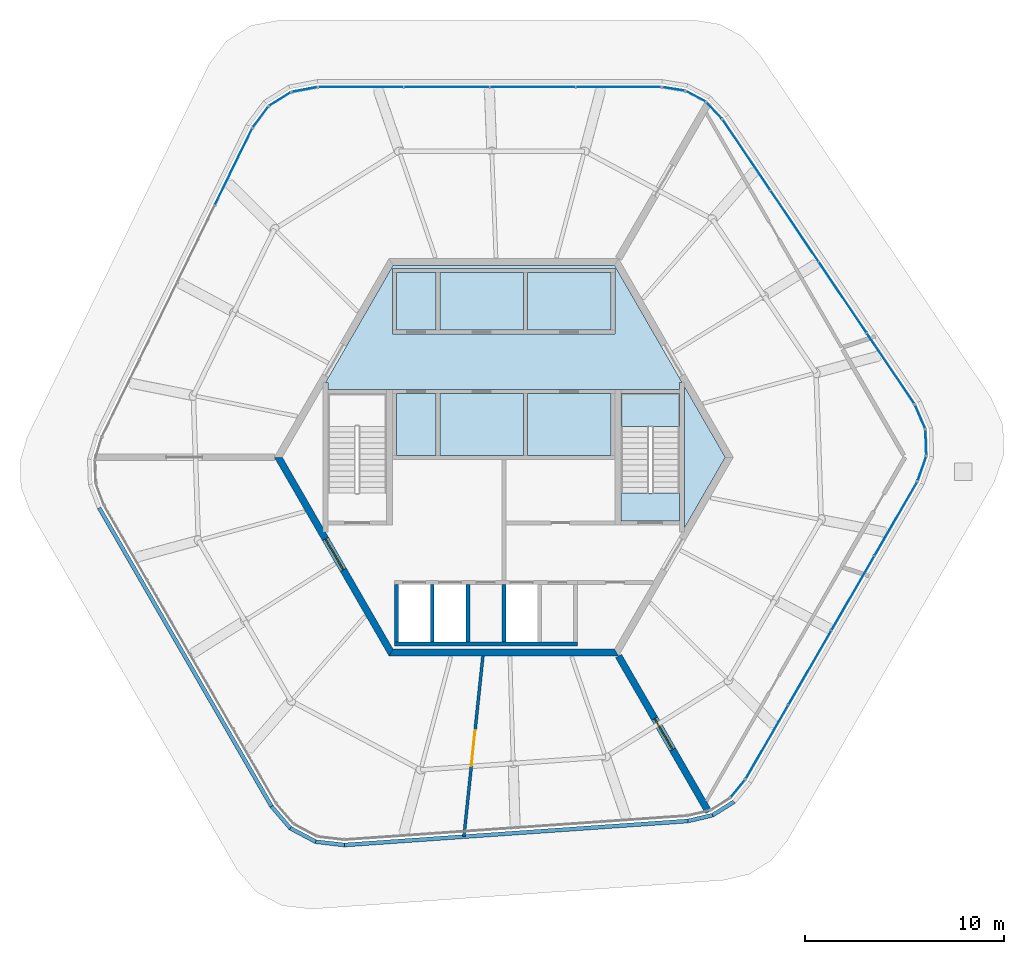
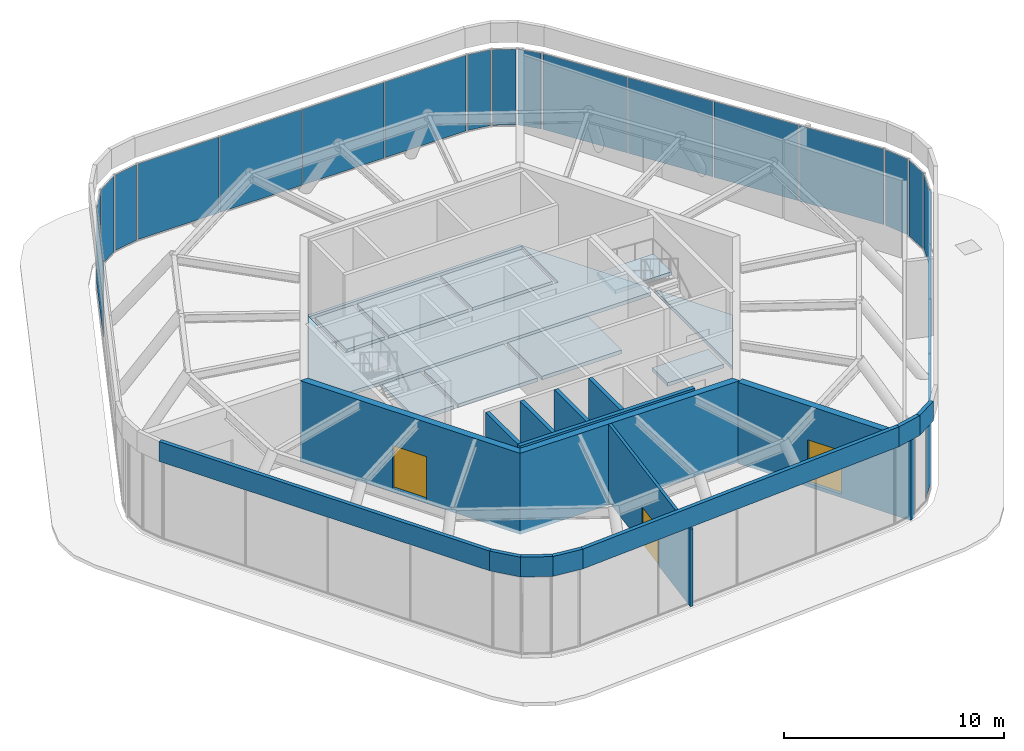
# One storey, part 9 of 12: 23 plates, 16 walls, 10 slabs, 3 doors, 3 openings, 15 elements without a shape of their own.
"""IFC4 building model written with IfcOpenShell, lengths in metres."""

from ifc_helpers import new_model, si_unit, direction, frame, frame_2d, origin, origin_2d, place, context, subcontext, project, spatial, polyline, rectangle, outline, extrude, material, layer, layer_set, type_object, element, fill, aggregate, save


model = new_model("IFC4")

# Units and contexts
model_context = context("Model", 3, precision=1e-05, world=origin(), true_north=direction((0.0, 1.0)))
body_context = subcontext(model_context, "Body", "Model", "MODEL_VIEW")
ifc_project = project(units=[si_unit("LENGTHUNIT", "METRE"), si_unit("AREAUNIT", "SQUARE_METRE"), si_unit("VOLUMEUNIT", "CUBIC_METRE"), si_unit("PLANEANGLEUNIT", "RADIAN"), si_unit("MASSUNIT", "GRAM", prefix="KILO")], contexts=[model_context])

# Site, building, storey
site_placement = place(None, origin())
site = spatial("IfcSite", under=ifc_project, at=site_placement, CompositionType="ELEMENT")
building_placement = place(site_placement, origin())
building = spatial("IfcBuilding", under=site, at=building_placement, Name="Tarnside Tower", CompositionType="ELEMENT")
storey_placement = place(building_placement, frame((0.0, 0.0, 392.699951171875)))
storey = spatial("IfcBuildingStorey", under=building, at=storey_placement, Name="L93", CompositionType="ELEMENT", Elevation=392.699951171875)

# Slabs
ifc_material_1 = material(Name="Concrete C40/50", Category="concrete")
ifc_layer_1 = layer(ifc_material_1, 0.199951171875)
ifc_layer_set_1 = layer_set([ifc_layer_1], Name="Core crown slab C40/50")
slab_type_1 = type_object("IfcSlabType", Name="Core crown slab C40/50", PredefinedType="FLOOR", material=ifc_layer_set_1)
slab_1_placement = place(storey_placement, frame((0.0, 0.0, -0.199951171875)))
element("IfcSlab", 1, at=slab_1_placement, inside=storey, type_object=slab_type_1, Name="L93 core floor slab 1", PredefinedType="FLOOR", context=body_context, shape_type="SweptSolid", body=[
    extrude(outline(polyline([(5.5712890625, 9.64990234375), (8.97509765625, 3.7548828125), (8.85009765625, 3.7548828125), (8.85009765625, 3.39990234375), (5.89990234375, 3.39990234375), (5.60009765625, 3.39990234375), (-5.60009765625, 3.39990234375), (-5.89990234375, 3.39990234375), (-8.85009765625, 3.39990234375), (-8.85009765625, 3.7548828125), (-8.97509765625, 3.7548828125), (-5.5712890625, 9.64990234375), (5.5712890625, 9.64990234375)]), holes=[polyline([(-5.60009765625, 6.199951171875), (5.60009765625, 6.199951171875), (5.60009765625, 6.39990234375), (5.60009765625, 9.300048828125), (5.60009765625, 9.5), (-5.60009765625, 9.5), (-5.60009765625, 9.300048828125), (-5.60009765625, 6.39990234375), (-5.60009765625, 6.199951171875)])]), origin(), (0.0, 0.0, 1.0), 0.199951171875),
])
slab_2_placement = place(storey_placement, frame((0.0, 0.0, -0.199951171875)))
element("IfcSlab", 2, at=slab_2_placement, inside=storey, type_object=slab_type_1, Name="L93 core floor slab 4", PredefinedType="FLOOR", context=body_context, shape_type="SweptSolid", body=[
    extrude(outline(polyline([(9.10009765625, 3.538330078125), (11.142822265625, 0.0), (9.10009765625, -3.538330078125), (9.10009765625, 3.538330078125)])), origin(), (0.0, 0.0, 1.0), 0.199951171875),
])
slab_3_placement = place(storey_placement, frame((0.0, 0.0, -0.199951171875)))
element("IfcSlab", 3, at=slab_3_placement, inside=storey, type_object=slab_type_1, Name="L93 core floor slab 5", PredefinedType="FLOOR", context=body_context, shape_type="SweptSolid", body=[
    extrude(outline(polyline([(-3.39990234375, 3.199951171875), (-3.39990234375, 0.10009765625), (-5.39990234375, 0.10009765625), (-5.39990234375, 3.199951171875), (-3.39990234375, 3.199951171875)])), origin(), (0.0, 0.0, 1.0), 0.199951171875),
])
slab_4_placement = place(storey_placement, frame((0.0, 0.0, -0.199951171875)))
element("IfcSlab", 4, at=slab_4_placement, inside=storey, type_object=slab_type_1, Name="L93 core floor slab 7", PredefinedType="FLOOR", context=body_context, shape_type="SweptSolid", body=[
    extrude(outline(polyline([(1.0, 3.199951171875), (1.0, 0.10009765625), (-3.199951171875, 0.10009765625), (-3.199951171875, 3.199951171875), (1.0, 3.199951171875)])), origin(), (0.0, 0.0, 1.0), 0.199951171875),
])
slab_5_placement = place(storey_placement, frame((0.0, 0.0, -0.199951171875)))
element("IfcSlab", 5, at=slab_5_placement, inside=storey, type_object=slab_type_1, Name="L93 core floor slab 8", PredefinedType="FLOOR", context=body_context, shape_type="SweptSolid", body=[
    extrude(outline(polyline([(1.199951171875, 3.199951171875), (5.39990234375, 3.199951171875), (5.39990234375, 0.10009765625), (1.199951171875, 0.10009765625), (1.199951171875, 3.199951171875)])), origin(), (0.0, 0.0, 1.0), 0.199951171875),
])
slab_6_placement = place(storey_placement, frame((0.0, 0.0, -0.199951171875)))
element("IfcSlab", 6, at=slab_6_placement, inside=storey, type_object=slab_type_1, Name="L93 core floor slab 9", PredefinedType="FLOOR", context=body_context, shape_type="SweptSolid", body=[
    extrude(outline(polyline([(5.89990234375, -1.800048828125), (8.85009765625, -1.800048828125), (8.85009765625, -3.199951171875), (5.89990234375, -3.199951171875), (5.89990234375, -1.800048828125)])), origin(), (0.0, 0.0, 1.0), 0.199951171875),
])
slab_7_placement = place(storey_placement, frame((0.0, 0.0, -0.199951171875)))
element("IfcSlab", 7, at=slab_7_placement, inside=storey, type_object=slab_type_1, Name="L93 core floor slab 12", PredefinedType="FLOOR", context=body_context, shape_type="SweptSolid", body=[
    extrude(outline(polyline([(-3.39990234375, 9.300048828125), (-3.39990234375, 6.39990234375), (-5.39990234375, 6.39990234375), (-5.39990234375, 9.300048828125), (-3.39990234375, 9.300048828125)])), origin(), (0.0, 0.0, 1.0), 0.199951171875),
])
slab_8_placement = place(storey_placement, frame((0.0, 0.0, -0.199951171875)))
element("IfcSlab", 8, at=slab_8_placement, inside=storey, type_object=slab_type_1, Name="L93 core floor slab 13", PredefinedType="FLOOR", context=body_context, shape_type="SweptSolid", body=[
    extrude(outline(polyline([(1.0, 9.300048828125), (1.0, 6.39990234375), (-3.199951171875, 6.39990234375), (-3.199951171875, 9.300048828125), (1.0, 9.300048828125)])), origin(), (0.0, 0.0, 1.0), 0.199951171875),
])
slab_9_placement = place(storey_placement, frame((0.0, 0.0, -0.199951171875)))
element("IfcSlab", 9, at=slab_9_placement, inside=storey, type_object=slab_type_1, Name="L93 core floor slab 14", PredefinedType="FLOOR", context=body_context, shape_type="SweptSolid", body=[
    extrude(outline(polyline([(5.39990234375, 6.39990234375), (1.199951171875, 6.39990234375), (1.199951171875, 9.300048828125), (5.39990234375, 9.300048828125), (5.39990234375, 6.39990234375)])), origin(), (0.0, 0.0, 1.0), 0.199951171875),
])

# Curtain wall, plate
ifc_material_2 = material(Name="Crown glazing wall", Category="glass")
curtain_wall_type = type_object("IfcCurtainWallType", Name="Crown glazing wall", PredefinedType="NOTDEFINED", material=ifc_material_2)
curtain_wall_1_placement = place(storey_placement, origin())
curtain_wall_1 = element("IfcCurtainWall", 10, at=curtain_wall_1_placement, inside=storey, type_object=curtain_wall_type, Name="Crown glazing L93 01", PredefinedType="NOTDEFINED")
ifc_material_3 = material(Name="Low-iron safety glass", Category="glass")
ifc_layer_2 = layer(ifc_material_3, 0.028076171875)
ifc_layer_set_2 = layer_set([ifc_layer_2], Name="Crown glazing panel 28")
plate_type_1 = type_object("IfcPlateType", Name="Crown glazing panel 28", PredefinedType="CURTAIN_PANEL", material=ifc_layer_set_2)
plate_1_placement = place(storey_placement, frame((8.547119140625, 18.533203125, 0.05029296875), z_axis=(0.0, 0.0, 1.0), x_axis=(0.986761532077, -0.162177923324, 0.0)))
plate_1 = element("IfcPlate", 11, at=plate_1_placement, type_object=plate_type_1, Name="CW6 panel 1.1", PredefinedType="CURTAIN_PANEL", context=body_context, shape_type="SweptSolid", body=[
    extrude(rectangle(XDim=1.0947265625, YDim=0.028076171875, at=origin_2d()), origin(), (0.0, 0.0, 1.0), 4.199951171875),
])
aggregate(curtain_wall_1, [plate_1])

curtain_wall_2_placement = place(storey_placement, origin())
curtain_wall_2 = element("IfcCurtainWall", 12, at=curtain_wall_2_placement, inside=storey, type_object=curtain_wall_type, Name="Crown glazing L93 02", PredefinedType="NOTDEFINED")
plate_2_placement = place(storey_placement, frame((9.656005859375, 18.16015625, 0.05029296875), z_axis=(0.0, 0.0, 1.0), x_axis=(0.882947592916, -0.469471562678, 0.0)))
plate_2 = element("IfcPlate", 13, at=plate_2_placement, type_object=plate_type_1, Name="CW6 panel 1.1", PredefinedType="CURTAIN_PANEL", context=body_context, shape_type="SweptSolid", body=[
    extrude(rectangle(XDim=1.076416015625, YDim=0.028076171875, at=origin_2d()), origin(), (0.0, 0.0, 1.0), 4.199951171875),
])
aggregate(curtain_wall_2, [plate_2])

curtain_wall_3_placement = place(storey_placement, origin())
curtain_wall_3 = element("IfcCurtainWall", 14, at=curtain_wall_3_placement, inside=storey, type_object=curtain_wall_type, Name="Crown glazing L93 03", PredefinedType="NOTDEFINED")
plate_3_placement = place(storey_placement, frame((10.585205078125, 17.449462890625, 0.05029296875), z_axis=(0.0, 0.0, 1.0), x_axis=(0.686241638042, -0.727373641409, 0.0)))
plate_3 = element("IfcPlate", 15, at=plate_3_placement, type_object=plate_type_1, Name="CW6 panel 1.1", PredefinedType="CURTAIN_PANEL", context=body_context, shape_type="SweptSolid", body=[
    extrude(rectangle(XDim=1.0947265625, YDim=0.028076171875, at=origin_2d()), origin(), (0.0, 0.0, 1.0), 4.199951171875),
])
aggregate(curtain_wall_3, [plate_3])

curtain_wall_4_placement = place(storey_placement, origin())
curtain_wall_4 = element("IfcCurtainWall", 16, at=curtain_wall_4_placement, inside=storey, type_object=curtain_wall_type, Name="Crown glazing L93 05", PredefinedType="NOTDEFINED")
plate_4_placement = place(storey_placement, frame((20.94482421875, 2.038330078125, 0.05029296875), z_axis=(0.0, 0.0, 1.0), x_axis=(0.396079765938, -0.918216106924, 0.0)))
plate_4 = element("IfcPlate", 17, at=plate_4_placement, type_object=plate_type_1, Name="CW6 panel 1.1", PredefinedType="CURTAIN_PANEL", context=body_context, shape_type="SweptSolid", body=[
    extrude(rectangle(XDim=1.26318359375, YDim=0.028076171875, at=origin_2d()), origin(), (0.0, 0.0, 1.0), 4.199951171875),
])
aggregate(curtain_wall_4, [plate_4])

curtain_wall_5_placement = place(storey_placement, origin())
curtain_wall_5 = element("IfcCurtainWall", 18, at=curtain_wall_5_placement, inside=storey, type_object=curtain_wall_type, Name="Crown glazing L93 06", PredefinedType="NOTDEFINED")
plate_5_placement = place(storey_placement, frame((21.23828125, 0.74169921875, 0.05029296875), z_axis=(0.0, 0.0, 1.0), x_axis=(0.034899497121, -0.999390827004, 0.0)))
plate_5 = element("IfcPlate", 19, at=plate_5_placement, type_object=plate_type_1, Name="CW6 panel 1.1", PredefinedType="CURTAIN_PANEL", context=body_context, shape_type="SweptSolid", body=[
    extrude(rectangle(XDim=1.242431640625, YDim=0.028076171875, at=origin_2d()), origin(), (0.0, 0.0, 1.0), 4.199951171875),
])
aggregate(curtain_wall_5, [plate_5])

curtain_wall_6_placement = place(storey_placement, origin())
curtain_wall_6 = element("IfcCurtainWall", 20, at=curtain_wall_6_placement, inside=storey, type_object=curtain_wall_type, Name="Crown glazing L93 07", PredefinedType="NOTDEFINED")
plate_6_placement = place(storey_placement, frame((21.035888671875, -0.572265625, 0.05029296875), z_axis=(0.0, 0.0, 1.0), x_axis=(-0.331063417797, -0.943608506424, 0.0)))
plate_6 = element("IfcPlate", 21, at=plate_6_placement, type_object=plate_type_1, Name="CW6 panel 1.1", PredefinedType="CURTAIN_PANEL", context=body_context, shape_type="SweptSolid", body=[
    extrude(rectangle(XDim=1.26318359375, YDim=0.028076171875, at=origin_2d()), origin(), (0.0, 0.0, 1.0), 4.199951171875),
])
aggregate(curtain_wall_6, [plate_6])

curtain_wall_7_placement = place(storey_placement, origin())
curtain_wall_7 = element("IfcCurtainWall", 22, at=curtain_wall_7_placement, inside=storey, type_object=curtain_wall_type, Name="Crown glazing L93 09", PredefinedType="NOTDEFINED")
plate_7_placement = place(storey_placement, frame((11.776611328125, -16.66845703125, 0.05029296875), z_axis=(0.0, 0.0, 1.0), x_axis=(-0.633830967097, -0.773471592981, 0.0)))
plate_7 = element("IfcPlate", 23, at=plate_7_placement, type_object=plate_type_1, Name="CW6 panel 1.1", PredefinedType="CURTAIN_PANEL", context=body_context, shape_type="SweptSolid", body=[
    extrude(rectangle(XDim=1.0947265625, YDim=0.028076171875, at=origin_2d()), origin(), (0.0, 0.0, 1.0), 4.199951171875),
])
aggregate(curtain_wall_7, [plate_7])

curtain_wall_8_placement = place(storey_placement, origin())
curtain_wall_8 = element("IfcCurtainWall", 24, at=curtain_wall_8_placement, inside=storey, type_object=curtain_wall_type, Name="Crown glazing L93 21", PredefinedType="NOTDEFINED")
plate_8_placement = place(storey_placement, frame((-12.237548828125, 17.11962890625, 0.05029296875), z_axis=(0.0, 0.0, 1.0), x_axis=(0.597158592043, 0.802123192501, 0.0)))
plate_8 = element("IfcPlate", 25, at=plate_8_placement, type_object=plate_type_1, Name="CW6 panel 1.1", PredefinedType="CURTAIN_PANEL", context=body_context, shape_type="SweptSolid", body=[
    extrude(rectangle(XDim=1.26318359375, YDim=0.028076171875, at=origin_2d()), origin(), (0.0, 0.0, 1.0), 4.199951171875),
])
aggregate(curtain_wall_8, [plate_8])

curtain_wall_9_placement = place(storey_placement, origin())
curtain_wall_9 = element("IfcCurtainWall", 26, at=curtain_wall_9_placement, inside=storey, type_object=curtain_wall_type, Name="Crown glazing L93 22", PredefinedType="NOTDEFINED")
plate_9_placement = place(storey_placement, frame((-11.261474609375, 18.02197265625, 0.05029296875), z_axis=(0.0, 0.0, 1.0), x_axis=(0.84804809599, 0.5299192645, 0.0)))
plate_9 = element("IfcPlate", 27, at=plate_9_placement, type_object=plate_type_1, Name="CW6 panel 1.1", PredefinedType="CURTAIN_PANEL", context=body_context, shape_type="SweptSolid", body=[
    extrude(rectangle(XDim=1.242431640625, YDim=0.028076171875, at=origin_2d()), origin(), (0.0, 0.0, 1.0), 4.199951171875),
])
aggregate(curtain_wall_9, [plate_9])

curtain_wall_10_placement = place(storey_placement, origin())
curtain_wall_10 = element("IfcCurtainWall", 28, at=curtain_wall_10_placement, inside=storey, type_object=curtain_wall_type, Name="Crown glazing L93 23", PredefinedType="NOTDEFINED")
plate_10_placement = place(storey_placement, frame((-10.0224609375, 18.50390625, 0.05029296875), z_axis=(0.0, 0.0, 1.0), x_axis=(0.98272064676, 0.185094922759, 0.0)))
plate_10 = element("IfcPlate", 29, at=plate_10_placement, type_object=plate_type_1, Name="CW6 panel 1.1", PredefinedType="CURTAIN_PANEL", context=body_context, shape_type="SweptSolid", body=[
    extrude(rectangle(XDim=1.26318359375, YDim=0.028076171875, at=origin_2d()), origin(), (0.0, 0.0, 1.0), 4.199951171875),
])
aggregate(curtain_wall_10, [plate_10])

# Curtain wall, plates
curtain_wall_11_placement = place(storey_placement, origin())
curtain_wall_11 = element("IfcCurtainWall", 30, at=curtain_wall_11_placement, inside=storey, type_object=curtain_wall_type, Name="Crown glazing L93 00", PredefinedType="NOTDEFINED")
ifc_material_4 = material(Name="Insulated aluminium panel", Category="aluminium")
ifc_layer_3 = layer(ifc_material_4, 0.028076171875)
ifc_layer_set_3 = layer_set([ifc_layer_3], Name="Crown glazing spandrel panel 28")
plate_type_2 = type_object("IfcPlateType", Name="Crown glazing spandrel panel 28", PredefinedType="CURTAIN_PANEL", material=ifc_layer_set_3)
plate_11_placement = place(storey_placement, frame((-7.17626953125, 18.6298828125, 0.05029296875), z_axis=(0.0, 0.0, 1.0), x_axis=(1.0, 0.0, 0.0)))
plate_11 = element("IfcPlate", 31, at=plate_11_placement, type_object=plate_type_2, Name="CW6 panel 1.1", PredefinedType="CURTAIN_PANEL", context=body_context, shape_type="SweptSolid", body=[
    extrude(rectangle(XDim=4.25244140625, YDim=0.028076171875, at=origin_2d()), origin(), (0.0, 0.0, 1.0), 4.199951171875),
])
plate_12_placement = place(storey_placement, frame((-2.861083984375, 18.6298828125, 0.05029296875), z_axis=(0.0, 0.0, 1.0), x_axis=(1.0, 0.0, 0.0)))
plate_12 = element("IfcPlate", 32, at=plate_12_placement, type_object=plate_type_2, Name="CW6 panel 2.1", PredefinedType="CURTAIN_PANEL", context=body_context, shape_type="SweptSolid", body=[
    extrude(rectangle(XDim=4.277587890625, YDim=0.028076171875, at=origin_2d()), origin(), (0.0, 0.0, 1.0), 4.199951171875),
])
plate_13_placement = place(storey_placement, frame((1.46630859375, 18.6298828125, 0.05029296875), z_axis=(0.0, 0.0, 1.0), x_axis=(1.0, 0.0, 0.0)))
plate_13 = element("IfcPlate", 33, at=plate_13_placement, type_object=plate_type_2, Name="CW6 panel 3.1", PredefinedType="CURTAIN_PANEL", context=body_context, shape_type="SweptSolid", body=[
    extrude(rectangle(XDim=4.277587890625, YDim=0.028076171875, at=origin_2d()), origin(), (0.0, 0.0, 1.0), 4.199951171875),
])
plate_14_placement = place(storey_placement, frame((5.781494140625, 18.6298828125, 0.05029296875), z_axis=(0.0, 0.0, 1.0), x_axis=(1.0, 0.0, 0.0)))
plate_14 = element("IfcPlate", 34, at=plate_14_placement, type_object=plate_type_2, Name="CW6 panel 4.1", PredefinedType="CURTAIN_PANEL", context=body_context, shape_type="SweptSolid", body=[
    extrude(rectangle(XDim=4.25244140625, YDim=0.028076171875, at=origin_2d()), origin(), (0.0, 0.0, 1.0), 4.199951171875),
])
aggregate(curtain_wall_11, [plate_11, plate_12, plate_13, plate_14])

curtain_wall_12_placement = place(storey_placement, origin())
curtain_wall_12 = element("IfcCurtainWall", 35, at=curtain_wall_12_placement, inside=storey, type_object=curtain_wall_type, Name="Crown glazing L93 04", PredefinedType="NOTDEFINED")
plate_15_placement = place(storey_placement, frame((12.212158203125, 15.210693359375, 0.05029296875), z_axis=(0.0, 0.0, 1.0), x_axis=(0.559192903456, -0.829037572565, 0.0)))
plate_15 = element("IfcPlate", 36, at=plate_15_placement, type_object=plate_type_2, Name="CW6 panel 1.1", PredefinedType="CURTAIN_PANEL", context=body_context, shape_type="SweptSolid", body=[
    extrude(rectangle(XDim=4.25244140625, YDim=0.028076171875, at=origin_2d()), origin(), (0.0, 0.0, 1.0), 4.199951171875),
])
plate_16_placement = place(storey_placement, frame((14.625, 11.633544921875, 0.05029296875), z_axis=(0.0, 0.0, 1.0), x_axis=(0.559192903456, -0.829037572565, 0.0)))
plate_16 = element("IfcPlate", 37, at=plate_16_placement, type_object=plate_type_2, Name="CW6 panel 2.1", PredefinedType="CURTAIN_PANEL", context=body_context, shape_type="SweptSolid", body=[
    extrude(rectangle(XDim=4.277587890625, YDim=0.028076171875, at=origin_2d()), origin(), (0.0, 0.0, 1.0), 4.199951171875),
])
plate_17_placement = place(storey_placement, frame((17.044921875, 8.045654296875, 0.05029296875), z_axis=(0.0, 0.0, 1.0), x_axis=(0.559192903456, -0.829037572565, 0.0)))
plate_17 = element("IfcPlate", 38, at=plate_17_placement, type_object=plate_type_2, Name="CW6 panel 3.1", PredefinedType="CURTAIN_PANEL", context=body_context, shape_type="SweptSolid", body=[
    extrude(rectangle(XDim=4.277587890625, YDim=0.028076171875, at=origin_2d()), origin(), (0.0, 0.0, 1.0), 4.199951171875),
])
plate_18_placement = place(storey_placement, frame((19.457763671875, 4.468505859375, 0.05029296875), z_axis=(0.0, 0.0, 1.0), x_axis=(0.559192903456, -0.829037572565, 0.0)))
plate_18 = element("IfcPlate", 39, at=plate_18_placement, type_object=plate_type_2, Name="CW6 panel 4.1", PredefinedType="CURTAIN_PANEL", context=body_context, shape_type="SweptSolid", body=[
    extrude(rectangle(XDim=4.25244140625, YDim=0.028076171875, at=origin_2d()), origin(), (0.0, 0.0, 1.0), 4.199951171875),
])
aggregate(curtain_wall_12, [plate_15, plate_16, plate_17, plate_18])

curtain_wall_13_placement = place(storey_placement, origin())
curtain_wall_13 = element("IfcCurtainWall", 40, at=curtain_wall_13_placement, inside=storey, type_object=curtain_wall_type, Name="Crown glazing L93 08", PredefinedType="NOTDEFINED")
plate_19_placement = place(storey_placement, frame((19.72216796875, -3.10009765625, 0.05029296875), z_axis=(0.0, 0.0, 1.0), x_axis=(-0.500000000045, -0.866025403758, 0.0)))
plate_19 = element("IfcPlate", 41, at=plate_19_placement, type_object=plate_type_2, Name="CW6 panel 1.1", PredefinedType="CURTAIN_PANEL", context=body_context, shape_type="SweptSolid", body=[
    extrude(rectangle(XDim=4.25244140625, YDim=0.028076171875, at=origin_2d()), origin(), (0.0, 0.0, 1.0), 4.199951171875),
])
plate_20_placement = place(storey_placement, frame((17.564697265625, -6.837158203125, 0.05029296875), z_axis=(0.0, 0.0, 1.0), x_axis=(-0.500000000045, -0.866025403758, 0.0)))
plate_20 = element("IfcPlate", 42, at=plate_20_placement, type_object=plate_type_2, Name="CW6 panel 2.1", PredefinedType="CURTAIN_PANEL", context=body_context, shape_type="SweptSolid", body=[
    extrude(rectangle(XDim=4.277587890625, YDim=0.028076171875, at=origin_2d()), origin(), (0.0, 0.0, 1.0), 4.199951171875),
])
plate_21_placement = place(storey_placement, frame((15.40087890625, -10.5849609375, 0.05029296875), z_axis=(0.0, 0.0, 1.0), x_axis=(-0.500000000045, -0.866025403758, 0.0)))
plate_21 = element("IfcPlate", 43, at=plate_21_placement, type_object=plate_type_2, Name="CW6 panel 3.1", PredefinedType="CURTAIN_PANEL", context=body_context, shape_type="SweptSolid", body=[
    extrude(rectangle(XDim=4.277587890625, YDim=0.028076171875, at=origin_2d()), origin(), (0.0, 0.0, 1.0), 4.199951171875),
])
plate_22_placement = place(storey_placement, frame((13.243408203125, -14.32177734375, 0.05029296875), z_axis=(0.0, 0.0, 1.0), x_axis=(-0.500000000045, -0.866025403758, 0.0)))
plate_22 = element("IfcPlate", 44, at=plate_22_placement, type_object=plate_type_2, Name="CW6 panel 4.1", PredefinedType="CURTAIN_PANEL", context=body_context, shape_type="SweptSolid", body=[
    extrude(rectangle(XDim=4.25244140625, YDim=0.028076171875, at=origin_2d()), origin(), (0.0, 0.0, 1.0), 4.199951171875),
])
aggregate(curtain_wall_13, [plate_19, plate_20, plate_21, plate_22])

# Curtain wall, plate
curtain_wall_14_placement = place(storey_placement, origin())
curtain_wall_14 = element("IfcCurtainWall", 45, at=curtain_wall_14_placement, inside=storey, type_object=curtain_wall_type, Name="Crown glazing L93 20", PredefinedType="NOTDEFINED")
plate_23_placement = place(storey_placement, frame((-13.5986328125, 14.61669921875, 0.05029296875), z_axis=(0.0, 0.0, 1.0), x_axis=(0.438371146758, 0.898794046314, 0.0)))
plate_23 = element("IfcPlate", 46, at=plate_23_placement, type_object=plate_type_2, Name="CW6 panel 4.1", PredefinedType="CURTAIN_PANEL", context=body_context, shape_type="SweptSolid", body=[
    extrude(rectangle(XDim=4.25244140625, YDim=0.028076171875, at=origin_2d()), origin(), (0.0, 0.0, 1.0), 4.199951171875),
])
aggregate(curtain_wall_14, [plate_23])

# Stair, slab
stair_type = type_object("IfcStairType", Name="Exit stair 1400 clear", PredefinedType="HALF_TURN_STAIR", material=ifc_material_1)
stair_placement = place(storey_placement, origin())
stair = element("IfcStair", 47, at=stair_placement, inside=storey, type_object=stair_type, Name="L93 Exit stair 1", PredefinedType="HALF_TURN_STAIR")
ifc_layer_4 = layer(ifc_material_1, 0.199951171875)
ifc_layer_set_4 = layer_set([ifc_layer_4], Name="Stair landing 200 C40/50")
slab_type_2 = type_object("IfcSlabType", Name="Stair landing 200 C40/50", PredefinedType="LANDING", material=ifc_layer_set_4)
slab_10_placement = place(storey_placement, frame((0.0, 0.0, 2.050048828125)))
slab_10 = element("IfcSlab", 48, at=slab_10_placement, type_object=slab_type_2, Name="ST1 landing 1", PredefinedType="LANDING", context=body_context, shape_type="SweptSolid", body=[
    extrude(outline(polyline([(8.85009765625, 1.56005859375), (8.85009765625, 3.199951171875), (5.89990234375, 3.199951171875), (5.89990234375, 1.56005859375), (8.85009765625, 1.56005859375)])), origin(), (0.0, 0.0, 1.0), 0.199951171875),
])
aggregate(stair, [slab_10])

# Wall, opening, door
ifc_material_5 = material(Name="Concrete C50/60", Category="concrete")
ifc_layer_5 = layer(ifc_material_5, 0.35009765625)
ifc_layer_set_5 = layer_set([ifc_layer_5], Name="Core wall Z4 350 C50/60")
wall_type_1 = type_object("IfcWallType", Name="Core wall Z4 350 C50/60", PredefinedType="SHEAR", material=ifc_layer_set_5)
wall_1_placement = place(storey_placement, frame((-11.344970703125, 0.0, -0.199951171875), z_axis=(0.0, 0.0, 1.0), x_axis=(0.499995046907, -0.866028263435, 0.0)))
wall_1 = element("IfcWall", 49, at=wall_1_placement, inside=storey, type_object=wall_type_1, Name="L93 core wall face 3", PredefinedType="SHEAR", context=body_context, shape_type="SweptSolid", body=[
    extrude(outline(polyline([(-0.10107421875, -0.175048828125), (11.44580078125, -0.175048828125), (11.24365234375, 0.175048828125), (0.10107421875, 0.175048828125), (-0.10107421875, -0.175048828125)])), origin(), (0.0, 0.0, 1.0), 4.5),
])
opening_1_placement = place(wall_1_placement, frame((4.74365234375, 0.0, 0.199951171875)))
opening_1 = element("IfcOpeningElement", 50, at=opening_1_placement, cuts=wall_1, Name="Opening CD-FFL", PredefinedType="OPENING", context=body_context, shape_type="SweptSolid", body=[
    extrude(rectangle(XDim=1.800048828125, YDim=2.39990234375, at=frame_2d((0.89990234375, 1.199951171875))), frame((0.0, 0.18505859375, 0.0), z_axis=(0.0, -1.0, 0.0), x_axis=(1.0, 0.0, 0.0)), (0.0, 0.0, 1.0), 0.3701171875),
])
ifc_material_6 = material(Name="Steel fire door", Category="steel")
door_type_1 = type_object("IfcDoorType", Name="Firefighting lobby double door FD60S 1800x2400", OperationType="NOTDEFINED", PredefinedType="DOOR", material=ifc_material_6)
door_1_placement = place(opening_1_placement, origin())
door_1 = element("IfcDoor", 51, at=door_1_placement, inside=storey, type_object=door_type_1, Name="L93 core door P3", OperationType="DOUBLE_DOOR_SINGLE_SWING", OverallHeight=2.39990234375, OverallWidth=1.800048828125, PredefinedType="DOOR", context=body_context, shape_type="SweptSolid", body=[
    extrude(rectangle(XDim=1.800048828125, YDim=2.39990234375, at=frame_2d((0.89990234375, 1.199951171875))), frame((0.0, 0.02490234375, 0.0), z_axis=(0.0, -1.0, 0.0), x_axis=(1.0, 0.0, 0.0)), (0.0, 0.0, 1.0), 0.050048828125),
])
fill(opening_1, door_1)

# Wall
wall_2_placement = place(storey_placement, frame((-5.672607421875, -9.824951171875, -0.199951171875), z_axis=(0.0, 0.0, 1.0), x_axis=(1.0, 0.0, 0.0)))
element("IfcWall", 52, at=wall_2_placement, inside=storey, type_object=wall_type_1, Name="L93 core wall face 4", PredefinedType="SHEAR", context=body_context, shape_type="SweptSolid", body=[
    extrude(outline(polyline([(-0.10107421875, -0.175048828125), (11.4462890625, -0.175048828125), (11.244140625, 0.175048828125), (0.10107421875, 0.175048828125), (-0.10107421875, -0.175048828125)])), origin(), (0.0, 0.0, 1.0), 4.5),
])

# Wall, opening, door
wall_3_placement = place(storey_placement, frame((5.7734375, -10.0, -0.199951171875), z_axis=(0.0, 0.0, 1.0), x_axis=(0.500006102154, -0.866021880676, 0.0)))
wall_3 = element("IfcWall", 53, at=wall_3_placement, inside=storey, type_object=wall_type_1, Name="L93 spine wall 3", PredefinedType="SHEAR", context=body_context, shape_type="SweptSolid", body=[
    extrude(rectangle(XDim=9.06494140625, YDim=0.35009765625, at=frame_2d((4.532470703125, 0.0))), origin(), (0.0, 0.0, 1.0), 4.5),
])
opening_2_placement = place(wall_3_placement, frame((3.63232421875, 0.0, 0.199951171875)))
opening_2 = element("IfcOpeningElement", 54, at=opening_2_placement, cuts=wall_3, Name="Opening CD-SPN", PredefinedType="OPENING", context=body_context, shape_type="SweptSolid", body=[
    extrude(rectangle(XDim=1.800048828125, YDim=2.39990234375, at=frame_2d((0.89990234375, 1.199951171875))), frame((0.0, 0.18505859375, 0.0), z_axis=(0.0, -1.0, 0.0), x_axis=(1.0, 0.0, 0.0)), (0.0, 0.0, 1.0), 0.3701171875),
])
door_type_2 = type_object("IfcDoorType", Name="Spine passage double door FD60 1800x2400", OperationType="NOTDEFINED", PredefinedType="DOOR", material=ifc_material_6)
door_2_placement = place(opening_2_placement, origin())
door_2 = element("IfcDoor", 55, at=door_2_placement, inside=storey, type_object=door_type_2, Name="L93 spine passage door 3", OperationType="DOUBLE_DOOR_SINGLE_SWING", OverallHeight=2.39990234375, OverallWidth=1.800048828125, PredefinedType="DOOR", context=body_context, shape_type="SweptSolid", body=[
    extrude(rectangle(XDim=1.800048828125, YDim=2.39990234375, at=frame_2d((0.89990234375, 1.199951171875))), frame((0.0, 0.02490234375, 0.0), z_axis=(0.0, -1.0, 0.0), x_axis=(1.0, 0.0, 0.0)), (0.0, 0.0, 1.0), 0.050048828125),
])
fill(opening_2, door_2)

# Walls
ifc_layer_6 = layer(ifc_material_1, 0.199951171875)
ifc_layer_set_6 = layer_set([ifc_layer_6], Name="Lift shaft wall 200 C40/50")
wall_type_2 = type_object("IfcWallType", Name="Lift shaft wall 200 C40/50", PredefinedType="SHEAR", material=ifc_layer_set_6)
wall_4_placement = place(storey_placement, frame((-5.5, -9.39990234375, -0.199951171875), z_axis=(0.0, 0.0, 1.0), x_axis=(1.0, 0.0, 0.0)))
element("IfcWall", 56, at=wall_4_placement, inside=storey, type_object=wall_type_2, Name="L93 lift shaft back wall R4", PredefinedType="SHEAR", context=body_context, shape_type="SweptSolid", body=[
    extrude(rectangle(XDim=9.199951171875, YDim=0.199951171875, at=frame_2d((4.60009765625, 0.0))), origin(), (0.0, 0.0, 1.0), 4.5),
])
for number, where, z_axis, x_axis, name in (
    (57, (-5.39990234375, -9.300048828125, -0.199951171875), (0.0, 0.0, 1.0), (0.0, 1.0, 0.0), "L93 lift shaft partition R41"),
    (58, (-3.60009765625, -9.300048828125, -0.199951171875), (0.0, 0.0, 1.0), (0.0, 1.0, 0.0), "L93 lift shaft partition R42"),
    (59, (-1.800048828125, -9.300048828125, -0.199951171875), (0.0, 0.0, 1.0), (0.0, 1.0, 0.0), "L93 lift shaft partition R43"),
    (60, (0.0, -9.300048828125, -0.199951171875), (0.0, 0.0, 1.0), (0.0, 1.0, 0.0), "L93 lift shaft partition R44"),
):
    element("IfcWall", number, at=place(storey_placement, frame(where, z_axis=z_axis, x_axis=x_axis)), inside=storey, type_object=wall_type_2, Name=name, PredefinedType="SHEAR", context=body_context, shape_type="SweptSolid", body=[
        extrude(rectangle(XDim=2.900146484375, YDim=0.199951171875, at=frame_2d((1.4501953125, 0.0))), origin(), (0.0, 0.0, 1.0), 4.5),
    ])
ifc_material_7 = material(Name="Concrete C35/45 precast", Category="concrete")
ifc_layer_7 = layer(ifc_material_7, 0.199951171875)
ifc_layer_set_7 = layer_set([ifc_layer_7], Name="Parapet 200 x 1100")
wall_type_3 = type_object("IfcWallType", Name="Parapet 200 x 1100", PredefinedType="PARAPET", material=ifc_layer_set_7)
wall_5_placement = place(storey_placement, frame((11.577392578125, -17.33447265625, 4.5), z_axis=(0.0, 0.0, 1.0), x_axis=(-0.848052526064, -0.529912174834, 0.0)))
element("IfcWall", 61, at=wall_5_placement, inside=storey, type_object=wall_type_3, Name="Roof parapet 10", PredefinedType="PARAPET", context=body_context, shape_type="SweptSolid", body=[
    extrude(outline(polyline([(0.016357421875, -0.10009765625), (1.248291015625, -0.10009765625), (1.281005859375, 0.10009765625), (-0.016357421875, 0.10009765625), (0.016357421875, -0.10009765625)])), origin(), (0.0, 0.0, 1.0), 1.10009765625),
])
wall_6_placement = place(storey_placement, frame((10.5048828125, -18.004638671875, 4.5), z_axis=(0.0, 0.0, 1.0), x_axis=(-0.97305877523, -0.230557194525, 0.0)))
element("IfcWall", 62, at=wall_6_placement, inside=storey, type_object=wall_type_3, Name="Roof parapet 11", PredefinedType="PARAPET", context=body_context, shape_type="SweptSolid", body=[
    extrude(outline(polyline([(0.016357421875, -0.10009765625), (1.2646484375, -0.10009765625), (1.28076171875, 0.10009765625), (-0.016357421875, 0.10009765625), (0.016357421875, -0.10009765625)])), origin(), (0.0, 0.0, 1.0), 1.10009765625),
])
wall_7_placement = place(storey_placement, frame((9.266357421875, -18.298095703125, 4.5), z_axis=(0.0, 0.0, 1.0), x_axis=(-0.997563920068, -0.069758335553, 0.0)))
element("IfcWall", 63, at=wall_7_placement, inside=storey, type_object=wall_type_3, Name="Roof parapet 12", PredefinedType="PARAPET", context=body_context, shape_type="SweptSolid", body=[
    extrude(outline(polyline([(0.008056640625, -0.10009765625), (17.32177734375, -0.10009765625), (17.34033203125, 0.10009765625), (-0.008056640625, 0.10009765625), (0.008056640625, -0.10009765625)])), origin(), (0.0, 0.0, 1.0), 1.10009765625),
])
wall_8_placement = place(storey_placement, frame((-8.0224609375, -19.507080078125, 4.5), z_axis=(0.0, 0.0, 1.0), x_axis=(-0.993253463588, 0.115963602348, 0.0)))
element("IfcWall", 64, at=wall_8_placement, inside=storey, type_object=wall_type_3, Name="Roof parapet 13", PredefinedType="PARAPET", context=body_context, shape_type="SweptSolid", body=[
    extrude(outline(polyline([(0.00927734375, -0.10009765625), (1.433837890625, -0.10009765625), (1.471435546875, 0.10009765625), (-0.00927734375, 0.10009765625), (0.00927734375, -0.10009765625)])), origin(), (0.0, 0.0, 1.0), 1.10009765625),
])
wall_9_placement = place(storey_placement, frame((-9.46533203125, -19.338623046875, 4.5), z_axis=(0.0, 0.0, 1.0), x_axis=(-0.882946998442, 0.46947268072, 0.0)))
element("IfcWall", 65, at=wall_9_placement, inside=storey, type_object=wall_type_3, Name="Roof parapet 14", PredefinedType="PARAPET", context=body_context, shape_type="SweptSolid", body=[
    extrude(outline(polyline([(0.018798828125, -0.10009765625), (1.42431640625, -0.10009765625), (1.4619140625, 0.10009765625), (-0.018798828125, 0.10009765625), (0.018798828125, -0.10009765625)])), origin(), (0.0, 0.0, 1.0), 1.10009765625),
])
wall_10_placement = place(storey_placement, frame((-10.739501953125, -18.6611328125, 4.5), z_axis=(0.0, 0.0, 1.0), x_axis=(-0.651635311812, 0.758532412228, 0.0)))
element("IfcWall", 66, at=wall_10_placement, inside=storey, type_object=wall_type_3, Name="Roof parapet 15", PredefinedType="PARAPET", context=body_context, shape_type="SweptSolid", body=[
    extrude(outline(polyline([(0.018798828125, -0.10009765625), (1.443359375, -0.10009765625), (1.4619140625, 0.10009765625), (-0.018798828125, 0.10009765625), (0.018798828125, -0.10009765625)])), origin(), (0.0, 0.0, 1.0), 1.10009765625),
])
wall_11_placement = place(storey_placement, frame((-11.68603515625, -17.559326171875, 4.5), z_axis=(0.0, 0.0, 1.0), x_axis=(-0.499996409458, 0.866027476775, 0.0)))
element("IfcWall", 67, at=wall_11_placement, inside=storey, type_object=wall_type_3, Name="Roof parapet 16", PredefinedType="PARAPET", context=body_context, shape_type="SweptSolid", body=[
    extrude(outline(polyline([(0.00927734375, -0.10009765625), (17.3232421875, -0.10009765625), (17.33935546875, 0.10009765625), (-0.00927734375, 0.10009765625), (0.00927734375, -0.10009765625)])), origin(), (0.0, 0.0, 1.0), 1.10009765625),
])

# Wall, opening, door
ifc_material_8 = material(Name="Gypsum board")
ifc_layer_8 = layer(ifc_material_8, 0.14990234375)
ifc_layer_set_8 = layer_set([ifc_layer_8], Name="Partition 150 gypsum board on metal stud")
wall_type_4 = type_object("IfcWallType", Name="Partition 150 gypsum board on metal stud", PredefinedType="PARTITIONING", material=ifc_layer_set_8)
wall_12_placement = place(storey_placement, frame((-1.051025390625, -10.0, 0.0), z_axis=(0.0, 0.0, 1.0), x_axis=(-0.104547024574, -0.994519944321, 0.0)))
wall_12 = element("IfcWall", 68, at=wall_12_placement, inside=storey, type_object=wall_type_4, Name="Partition 000", PredefinedType="PARTITIONING", context=body_context, shape_type="SweptSolid", body=[
    extrude(rectangle(XDim=9.133056640625, YDim=0.14990234375, at=frame_2d((4.56640625, 0.0))), origin(), (0.0, 0.0, 1.0), 4.300048828125),
])
opening_3_placement = place(wall_12_placement, frame((3.7666015625, 0.0, 0.0)))
opening_3 = element("IfcOpeningElement", 69, at=opening_3_placement, cuts=wall_12, Name="Opening D1800F30", PredefinedType="OPENING", context=body_context, shape_type="SweptSolid", body=[
    extrude(rectangle(XDim=1.800048828125, YDim=2.10009765625, at=frame_2d((0.89990234375, 1.050048828125))), frame((0.0, 0.0849609375, 0.0), z_axis=(0.0, -1.0, 0.0), x_axis=(1.0, 0.0, 0.0)), (0.0, 0.0, 1.0), 0.169921875),
])
ifc_material_9 = material(Name="Timber door leaf", Category="wood")
door_type_3 = type_object("IfcDoorType", Name="Door pair 1800 x 2100 FD30S fire door", OperationType="NOTDEFINED", PredefinedType="DOOR", material=ifc_material_9)
door_3_placement = place(opening_3_placement, origin())
door_3 = element("IfcDoor", 70, at=door_3_placement, inside=storey, type_object=door_type_3, Name="Door L93-01", OperationType="DOUBLE_DOOR_SINGLE_SWING", OverallHeight=2.10009765625, OverallWidth=1.800048828125, PredefinedType="DOOR", context=body_context, shape_type="SweptSolid", body=[
    extrude(rectangle(XDim=1.800048828125, YDim=2.10009765625, at=frame_2d((0.89990234375, 1.050048828125))), frame((0.0, 0.02490234375, 0.0), z_axis=(0.0, -1.0, 0.0), x_axis=(1.0, 0.0, 0.0)), (0.0, 0.0, 1.0), 0.050048828125),
])
fill(opening_3, door_3)

save(model, "model.ifc")
